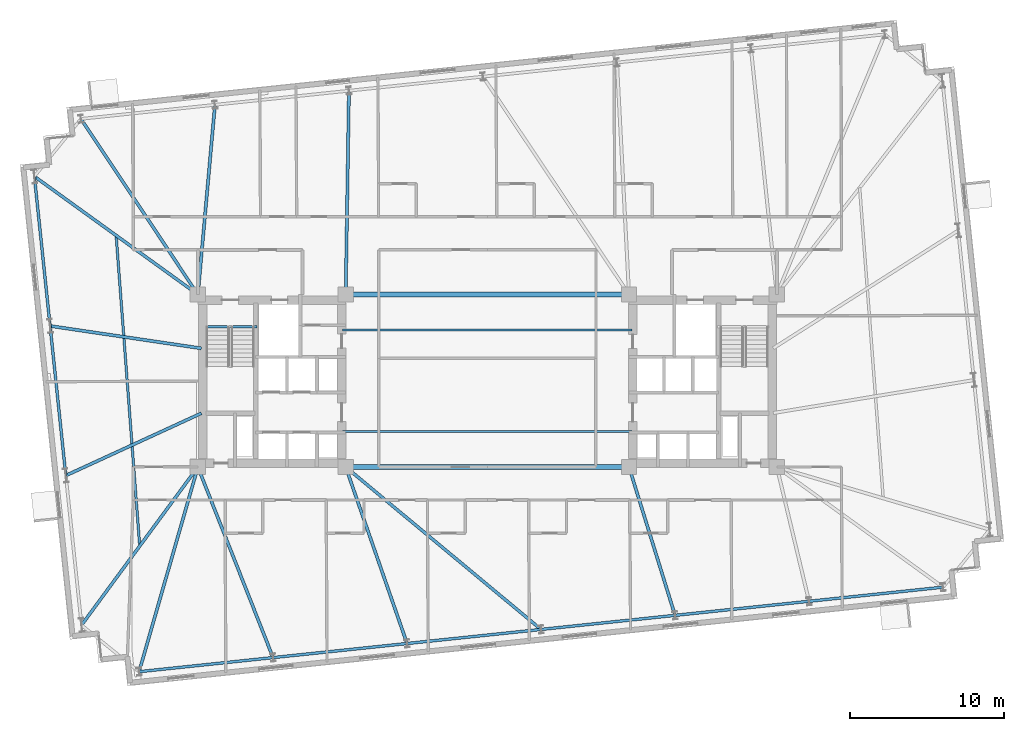
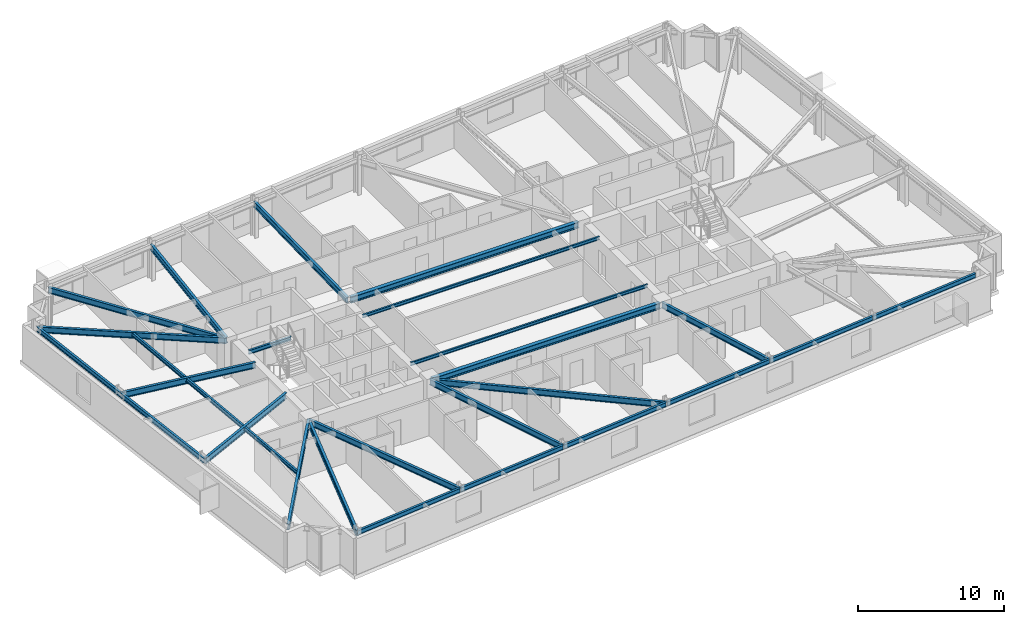
# One storey, part 5 of 19: 26 beams.
"""IFC4 building model written with IfcOpenShell, lengths in metres."""

from ifc_helpers import new_model, si_unit, direction, frame, origin, origin_2d, place, context, subcontext, project, spatial, i_section, extrude, material, material_profile, profile_set, type_object, element, save


model = new_model("IFC4")

# Units and contexts
model_context = context("Model", 3, precision=1e-05, world=origin(), true_north=direction((0.0, 1.0)))
body_context = subcontext(model_context, "Body", "Model", "MODEL_VIEW")
ifc_project = project(units=[si_unit("LENGTHUNIT", "METRE"), si_unit("AREAUNIT", "SQUARE_METRE"), si_unit("VOLUMEUNIT", "CUBIC_METRE"), si_unit("PLANEANGLEUNIT", "RADIAN"), si_unit("MASSUNIT", "GRAM", prefix="KILO")], contexts=[model_context])

# Site, building, storey
site_placement = place(None, origin())
site = spatial("IfcSite", under=ifc_project, at=site_placement, CompositionType="ELEMENT")
building_placement = place(site_placement, origin())
building = spatial("IfcBuilding", under=site, at=building_placement, Name="Qobustan Lattice House", CompositionType="ELEMENT")
storey_placement = place(building_placement, frame((0.0, 0.0, 122.550048828125)))
storey = spatial("IfcBuildingStorey", under=building, at=storey_placement, Name="L34", CompositionType="ELEMENT", Elevation=122.550048828125)

# Beams
ifc_material_1 = material(Name="Steel S355", Category="steel")
ifc_material_profile_1 = material_profile(ifc_material_1, i_section(OverallWidth=0.300048828125, OverallDepth=0.5, WebThickness=0.014404296875, FlangeThickness=0.028076171875, FilletRadius=0.027099609375, at=origin_2d()), Name="HEB500")
ifc_profile_set_1 = profile_set([ifc_material_profile_1], Name="Steel S355")
beam_type_1 = type_object("IfcBeamType", Name="BM-CG-HEB500", PredefinedType="USERDEFINED", material=ifc_profile_set_1)
for number, where, z_axis, x_axis, name in (
    (1, (-9.050048828125, -5.60009765625, 2.75), (1.0, 0.0, 0.0), (0.0, 1.0, 0.0), "L34 core spine girder CG-CS"),
    (2, (-9.050048828125, 5.60009765625, 2.75), (1.0, 0.0, 0.0), (0.0, 1.0, 0.0), "L34 core spine girder CG-CN"),
):
    element("IfcBeam", number, at=place(storey_placement, frame(where, z_axis=z_axis, x_axis=x_axis)), inside=storey, type_object=beam_type_1, Name=name, ObjectType="GIRDER", PredefinedType="USERDEFINED", context=body_context, shape_type="SweptSolid", body=[
        extrude(i_section(OverallWidth=0.300048828125, OverallDepth=0.5, WebThickness=0.014404296875, FlangeThickness=0.028076171875, FilletRadius=0.027099609375, at=origin_2d()), origin(), (0.0, 0.0, 1.0), 18.10009765625),
    ])
ifc_material_2 = material(Name="Steel S355", Category="steel")
ifc_material_profile_2 = material_profile(ifc_material_2, i_section(OverallWidth=0.199951171875, OverallDepth=0.5, WebThickness=0.01025390625, FlangeThickness=0.01611328125, FilletRadius=0.02099609375, at=origin_2d()), Name="IPE500")
ifc_profile_set_2 = profile_set([ifc_material_profile_2], Name="Steel S355")
beam_type_2 = type_object("IfcBeamType", Name="BM-FLG-IPE500", PredefinedType="USERDEFINED", material=ifc_profile_set_2)
beam_1_placement = place(storey_placement, frame((-22.612548828125, -18.87109375, 2.75), z_axis=(0.276115177845, 0.961124554136, 0.0), x_axis=(-0.961124554136, 0.276115177845, 0.0)))
element("IfcBeam", 3, at=beam_1_placement, inside=storey, type_object=beam_type_2, Name="L34 primary floor girder RAD-S1W", ObjectType="GIRDER", PredefinedType="USERDEFINED", context=body_context, shape_type="SweptSolid", body=[
    extrude(i_section(OverallWidth=0.199951171875, OverallDepth=0.5, WebThickness=0.01025390625, FlangeThickness=0.01611328125, FilletRadius=0.02099609375, at=origin_2d()), origin(), (0.0, 0.0, 1.0), 13.782958984375),
])
beam_2_placement = place(storey_placement, frame((-13.926513671875, -17.95703125, 2.75), z_axis=(-0.366884358141, 0.930266557365, 0.0), x_axis=(-0.930266557365, -0.366884358141, 0.0)))
element("IfcBeam", 4, at=beam_2_placement, inside=storey, type_object=beam_type_2, Name="L34 primary floor girder RAD-S2", ObjectType="GIRDER", PredefinedType="USERDEFINED", context=body_context, shape_type="SweptSolid", body=[
    extrude(i_section(OverallWidth=0.199951171875, OverallDepth=0.5, WebThickness=0.01025390625, FlangeThickness=0.01611328125, FilletRadius=0.02099609375, at=origin_2d()), origin(), (0.0, 0.0, 1.0), 13.25830078125),
])
beam_3_placement = place(storey_placement, frame((-5.223388671875, -17.0419921875, 2.75), z_axis=(-0.328289533586, 0.94457714462, 0.0), x_axis=(-0.94457714462, -0.328289533586, 0.0)))
element("IfcBeam", 5, at=beam_3_placement, inside=storey, type_object=beam_type_2, Name="L34 primary floor girder RAD-S3", ObjectType="GIRDER", PredefinedType="USERDEFINED", context=body_context, shape_type="SweptSolid", body=[
    extrude(i_section(OverallWidth=0.199951171875, OverallDepth=0.5, WebThickness=0.01025390625, FlangeThickness=0.01611328125, FilletRadius=0.02099609375, at=origin_2d()), origin(), (0.0, 0.0, 1.0), 12.08837890625),
])
beam_4_placement = place(storey_placement, frame((3.467529296875, -16.135009765625, 2.75), z_axis=(-0.768858311844, 0.639419186691, 0.0), x_axis=(-0.639419186691, -0.768858311844, 0.0)))
element("IfcBeam", 6, at=beam_4_placement, inside=storey, type_object=beam_type_2, Name="L34 primary floor girder RAD-S4", ObjectType="GIRDER", PredefinedType="USERDEFINED", context=body_context, shape_type="SweptSolid", body=[
    extrude(i_section(OverallWidth=0.199951171875, OverallDepth=0.5, WebThickness=0.01025390625, FlangeThickness=0.01611328125, FilletRadius=0.02099609375, at=origin_2d()), origin(), (0.0, 0.0, 1.0), 16.450927734375),
])
beam_5_placement = place(storey_placement, frame((12.181396484375, -15.212646484375, 2.75), z_axis=(-0.296219460995, 0.955119903953, 0.0), x_axis=(-0.955119903953, -0.296219460995, 0.0)))
element("IfcBeam", 7, at=beam_5_placement, inside=storey, type_object=beam_type_2, Name="L34 primary floor girder RAD-S5", ObjectType="GIRDER", PredefinedType="USERDEFINED", context=body_context, shape_type="SweptSolid", body=[
    extrude(i_section(OverallWidth=0.199951171875, OverallDepth=0.5, WebThickness=0.01025390625, FlangeThickness=0.01611328125, FilletRadius=0.02099609375, at=origin_2d()), origin(), (0.0, 0.0, 1.0), 10.03955078125),
])
beam_6_placement = place(storey_placement, frame((-26.37890625, 16.986328125, 2.75), z_axis=(0.5540893103, -0.832457227857, 0.0), x_axis=(0.832457227857, 0.5540893103, 0.0)))
element("IfcBeam", 8, at=beam_6_placement, inside=storey, type_object=beam_type_2, Name="L34 primary floor girder RAD-N7W", ObjectType="GIRDER", PredefinedType="USERDEFINED", context=body_context, shape_type="SweptSolid", body=[
    extrude(i_section(OverallWidth=0.199951171875, OverallDepth=0.5, WebThickness=0.01025390625, FlangeThickness=0.01611328125, FilletRadius=0.02099609375, at=origin_2d()), origin(), (0.0, 0.0, 1.0), 13.65283203125),
])
beam_7_placement = place(storey_placement, frame((-17.693115234375, 17.89697265625, 2.75), z_axis=(-0.089658533603, -0.995972563554, 0.0), x_axis=(0.995972563554, -0.089658533603, 0.0)))
element("IfcBeam", 9, at=beam_7_placement, inside=storey, type_object=beam_type_2, Name="L34 primary floor girder RAD-N6", ObjectType="GIRDER", PredefinedType="USERDEFINED", context=body_context, shape_type="SweptSolid", body=[
    extrude(i_section(OverallWidth=0.199951171875, OverallDepth=0.5, WebThickness=0.01025390625, FlangeThickness=0.01611328125, FilletRadius=0.02099609375, at=origin_2d()), origin(), (0.0, 0.0, 1.0), 12.321533203125),
])
beam_8_placement = place(storey_placement, frame((-8.9892578125, 18.8115234375, 2.75), z_axis=(-0.015957384359, -0.999872672836, 0.0), x_axis=(0.999872672836, -0.015957384359, 0.0)))
element("IfcBeam", 10, at=beam_8_placement, inside=storey, type_object=beam_type_2, Name="L34 primary floor girder RAD-N5", ObjectType="GIRDER", PredefinedType="USERDEFINED", context=body_context, shape_type="SweptSolid", body=[
    extrude(i_section(OverallWidth=0.199951171875, OverallDepth=0.5, WebThickness=0.01025390625, FlangeThickness=0.01611328125, FilletRadius=0.02099609375, at=origin_2d()), origin(), (0.0, 0.0, 1.0), 13.188232421875),
])
beam_9_placement = place(storey_placement, frame((-29.398681640625, 13.255859375, 2.75), z_axis=(0.810627425394, -0.585562274399, 0.0), x_axis=(0.585562274399, 0.810627425394, 0.0)))
element("IfcBeam", 11, at=beam_9_placement, inside=storey, type_object=beam_type_2, Name="L34 primary floor girder RAD-W1", ObjectType="GIRDER", PredefinedType="USERDEFINED", context=body_context, shape_type="SweptSolid", body=[
    extrude(i_section(OverallWidth=0.199951171875, OverallDepth=0.5, WebThickness=0.01025390625, FlangeThickness=0.01611328125, FilletRadius=0.02099609375, at=origin_2d()), origin(), (0.0, 0.0, 1.0), 13.049560546875),
])
beam_10_placement = place(storey_placement, frame((-28.373291015625, 3.5537109375, 2.75), z_axis=(0.989228195022, -0.146381618294, 0.0), x_axis=(0.146381618294, 0.989228195022, 0.0)))
element("IfcBeam", 12, at=beam_10_placement, inside=storey, type_object=beam_type_2, Name="L34 primary floor girder RAD-W2", ObjectType="GIRDER", PredefinedType="USERDEFINED", context=body_context, shape_type="SweptSolid", body=[
    extrude(i_section(OverallWidth=0.199951171875, OverallDepth=0.5, WebThickness=0.01025390625, FlangeThickness=0.01611328125, FilletRadius=0.02099609375, at=origin_2d()), origin(), (0.0, 0.0, 1.0), 9.9052734375),
])
beam_11_placement = place(storey_placement, frame((-27.3544921875, -6.1455078125, 2.75), z_axis=(0.908664928826, 0.417526103521, 0.0), x_axis=(-0.417526103521, 0.908664928826, 0.0)))
element("IfcBeam", 13, at=beam_11_placement, inside=storey, type_object=beam_type_2, Name="L34 primary floor girder RAD-W3", ObjectType="GIRDER", PredefinedType="USERDEFINED", context=body_context, shape_type="SweptSolid", body=[
    extrude(i_section(OverallWidth=0.199951171875, OverallDepth=0.5, WebThickness=0.01025390625, FlangeThickness=0.01611328125, FilletRadius=0.02099609375, at=origin_2d()), origin(), (0.0, 0.0, 1.0), 9.66455078125),
])
beam_12_placement = place(storey_placement, frame((-26.34130859375, -15.848876953125, 2.75), z_axis=(0.592669703312, 0.805445605101, 0.0), x_axis=(-0.805445605101, 0.592669703312, 0.0)))
element("IfcBeam", 14, at=beam_12_placement, inside=storey, type_object=beam_type_2, Name="L34 primary floor girder RAD-W4", ObjectType="GIRDER", PredefinedType="USERDEFINED", context=body_context, shape_type="SweptSolid", body=[
    extrude(i_section(OverallWidth=0.199951171875, OverallDepth=0.5, WebThickness=0.01025390625, FlangeThickness=0.01611328125, FilletRadius=0.02099609375, at=origin_2d()), origin(), (0.0, 0.0, 1.0), 12.699462890625),
])
ifc_material_3 = material(Name="Steel S355", Category="steel")
ifc_material_profile_3 = material_profile(ifc_material_3, i_section(OverallWidth=0.135009765625, OverallDepth=0.27001953125, WebThickness=0.006591796875, FlangeThickness=0.01025390625, FilletRadius=0.014892578125, at=origin_2d()), Name="IPE270")
ifc_profile_set_3 = profile_set([ifc_material_profile_3], Name="Steel S355")
beam_type_3 = type_object("IfcBeamType", Name="BM-JST-IPE270", PredefinedType="JOIST", material=ifc_profile_set_3)
for number, where, z_axis, x_axis, name in (
    (15, (-9.39990234375, -3.300048828125, 2.864990234375), (1.0, 0.0, 0.0), (0.0, 1.0, 0.0), "L34 central span floor joist 1"),
    (16, (-9.39990234375, 3.300048828125, 2.864990234375), (1.0, 0.0, 0.0), (0.0, 1.0, 0.0), "L34 central span floor joist 2"),
):
    element("IfcBeam", number, at=place(storey_placement, frame(where, z_axis=z_axis, x_axis=x_axis)), inside=storey, type_object=beam_type_3, Name=name, PredefinedType="JOIST", context=body_context, shape_type="SweptSolid", body=[
        extrude(i_section(OverallWidth=0.135009765625, OverallDepth=0.27001953125, WebThickness=0.006591796875, FlangeThickness=0.01025390625, FilletRadius=0.014892578125, at=origin_2d()), origin(), (0.0, 0.0, 1.0), 18.7998046875),
    ])
ifc_material_4 = material(Name="Steel S355", Category="steel")
ifc_material_profile_4 = material_profile(ifc_material_4, i_section(OverallWidth=0.159912109375, OverallDepth=0.330078125, WebThickness=0.007568359375, FlangeThickness=0.011474609375, FilletRadius=0.01806640625, at=origin_2d()), Name="IPE330")
ifc_profile_set_4 = profile_set([ifc_material_profile_4], Name="Steel S355")
beam_type_4 = type_object("IfcBeamType", Name="BM-SEC-IPE330", PredefinedType="BEAM", material=ifc_profile_set_4)
beam_13_placement = place(storey_placement, frame((-24.109619140625, 9.435302734375, 2.8349609375), z_axis=(0.07571166528, -0.997129752711, 0.0), x_axis=(0.997129752711, 0.07571166528, 0.0)))
element("IfcBeam", 17, at=beam_13_placement, inside=storey, type_object=beam_type_4, Name="L34 west wing secondary beam", PredefinedType="BEAM", context=body_context, shape_type="SweptSolid", body=[
    extrude(i_section(OverallWidth=0.159912109375, OverallDepth=0.330078125, WebThickness=0.007568359375, FlangeThickness=0.011474609375, FilletRadius=0.01806640625, at=origin_2d()), origin(), (0.0, 0.0, 1.0), 20.22802734375),
])
ifc_material_5 = material(Name="Steel S355", Category="steel")
ifc_material_profile_5 = material_profile(ifc_material_5, i_section(OverallWidth=0.159912109375, OverallDepth=0.330078125, WebThickness=0.007568359375, FlangeThickness=0.011474609375, FilletRadius=0.01806640625, at=origin_2d()), Name="IPE330")
ifc_profile_set_5 = profile_set([ifc_material_profile_5], Name="Steel S355")
beam_type_5 = type_object("IfcBeamType", Name="BM-SPD-IPE330", PredefinedType="SPANDREL", material=ifc_profile_set_5)
beam_14_placement = place(storey_placement, frame((-18.300048828125, 3.52001953125, 2.8349609375), z_axis=(1.0, 0.0, 0.0), x_axis=(0.0, 1.0, 0.0)))
element("IfcBeam", 18, at=beam_14_placement, inside=storey, type_object=beam_type_5, Name="L34 west stair landing trimmer beam", PredefinedType="SPANDREL", context=body_context, shape_type="SweptSolid", body=[
    extrude(i_section(OverallWidth=0.159912109375, OverallDepth=0.330078125, WebThickness=0.007568359375, FlangeThickness=0.011474609375, FilletRadius=0.01806640625, at=origin_2d()), origin(), (0.0, 0.0, 1.0), 3.35009765625),
])
ifc_material_6 = material(Name="Steel S355", Category="steel")
ifc_material_profile_6 = material_profile(ifc_material_6, i_section(OverallWidth=0.179931640625, OverallDepth=0.39990234375, WebThickness=0.008544921875, FlangeThickness=0.013427734375, FilletRadius=0.02099609375, at=origin_2d()), Name="IPE400")
ifc_profile_set_6 = profile_set([ifc_material_profile_6], Name="Steel S355")
beam_type_6 = type_object("IfcBeamType", Name="BM-SPD-IPE400", PredefinedType="SPANDREL", material=ifc_profile_set_6)
beam_15_placement = place(storey_placement, frame((-22.594482421875, -18.892333984375, 2.800048828125), z_axis=(0.994521279781, 0.10453432002, 0.0), x_axis=(-0.10453432002, 0.994521279781, 0.0)))
element("IfcBeam", 19, at=beam_15_placement, inside=storey, type_object=beam_type_6, Name="L34 perimeter spandrel S1-S2", PredefinedType="SPANDREL", context=body_context, shape_type="SweptSolid", body=[
    extrude(i_section(OverallWidth=0.179931640625, OverallDepth=0.39990234375, WebThickness=0.008544921875, FlangeThickness=0.013427734375, FilletRadius=0.02099609375, at=origin_2d()), origin(), (0.0, 0.0, 1.0), 8.69970703125),
])
for number, where, z_axis, x_axis, name in (
    (20, (-13.892578125, -17.977783203125, 2.800048828125), (0.994521586424, 0.104531402636, 0.0), (-0.104531402636, 0.994521586424, 0.0), "L34 perimeter spandrel S2-S3"),
    (21, (-5.1904296875, -17.06298828125, 2.800048828125), (0.994524503348, 0.104503647022, 0.0), (-0.104503647022, 0.994524503348, 0.0), "L34 perimeter spandrel S3-S4"),
):
    element("IfcBeam", number, at=place(storey_placement, frame(where, z_axis=z_axis, x_axis=x_axis)), inside=storey, type_object=beam_type_6, Name=name, PredefinedType="SPANDREL", context=body_context, shape_type="SweptSolid", body=[
        extrude(i_section(OverallWidth=0.179931640625, OverallDepth=0.39990234375, WebThickness=0.008544921875, FlangeThickness=0.013427734375, FilletRadius=0.02099609375, at=origin_2d()), origin(), (0.0, 0.0, 1.0), 8.699951171875),
    ])
beam_16_placement = place(storey_placement, frame((3.51171875, -16.1484375, 2.800048828125), z_axis=(0.994521279781, 0.10453432002, 0.0), x_axis=(-0.10453432002, 0.994521279781, 0.0)))
element("IfcBeam", 22, at=beam_16_placement, inside=storey, type_object=beam_type_6, Name="L34 perimeter spandrel S4-S5", PredefinedType="SPANDREL", context=body_context, shape_type="SweptSolid", body=[
    extrude(i_section(OverallWidth=0.179931640625, OverallDepth=0.39990234375, WebThickness=0.008544921875, FlangeThickness=0.013427734375, FilletRadius=0.02099609375, at=origin_2d()), origin(), (0.0, 0.0, 1.0), 8.69970703125),
])
for number, where, z_axis, x_axis, name in (
    (23, (12.213623046875, -15.23388671875, 2.800048828125), (0.994521586424, 0.104531402636, 0.0), (-0.104531402636, 0.994521586424, 0.0), "L34 perimeter spandrel S5-S6"),
    (24, (20.915771484375, -14.3193359375, 2.800048828125), (0.994521586424, 0.104531402636, 0.0), (-0.104531402636, 0.994521586424, 0.0), "L34 perimeter spandrel S6-S7"),
):
    element("IfcBeam", number, at=place(storey_placement, frame(where, z_axis=z_axis, x_axis=x_axis)), inside=storey, type_object=beam_type_6, Name=name, PredefinedType="SPANDREL", context=body_context, shape_type="SweptSolid", body=[
        extrude(i_section(OverallWidth=0.179931640625, OverallDepth=0.39990234375, WebThickness=0.008544921875, FlangeThickness=0.013427734375, FilletRadius=0.02099609375, at=origin_2d()), origin(), (0.0, 0.0, 1.0), 8.699951171875),
    ])
beam_17_placement = place(storey_placement, frame((-29.416259765625, 13.24560546875, 2.800048828125), z_axis=(0.104525214252, -0.994522236848, 0.0), x_axis=(0.994522236848, 0.104525214252, 0.0)))
element("IfcBeam", 25, at=beam_17_placement, inside=storey, type_object=beam_type_6, Name="L34 perimeter spandrel W1-W2", PredefinedType="SPANDREL", context=body_context, shape_type="SweptSolid", body=[
    extrude(i_section(OverallWidth=0.179931640625, OverallDepth=0.39990234375, WebThickness=0.008544921875, FlangeThickness=0.013427734375, FilletRadius=0.02099609375, at=origin_2d()), origin(), (0.0, 0.0, 1.0), 9.716552734375),
])
beam_18_placement = place(storey_placement, frame((-28.3955078125, 3.532470703125, 2.800048828125), z_axis=(0.104547453407, -0.994519899241, 0.0), x_axis=(0.994519899241, 0.104547453407, 0.0)))
element("IfcBeam", 26, at=beam_18_placement, inside=storey, type_object=beam_type_6, Name="L34 perimeter spandrel W2-W3", PredefinedType="SPANDREL", context=body_context, shape_type="SweptSolid", body=[
    extrude(i_section(OverallWidth=0.179931640625, OverallDepth=0.39990234375, WebThickness=0.008544921875, FlangeThickness=0.013427734375, FilletRadius=0.02099609375, at=origin_2d()), origin(), (0.0, 0.0, 1.0), 9.716796875),
])

save(model, "model.ifc")
